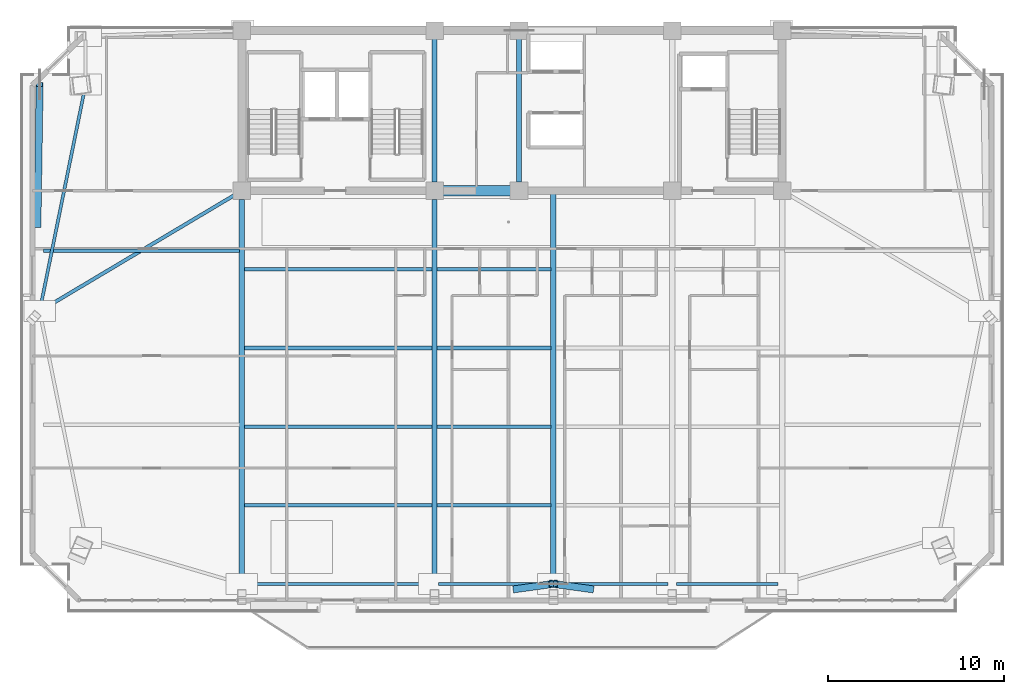
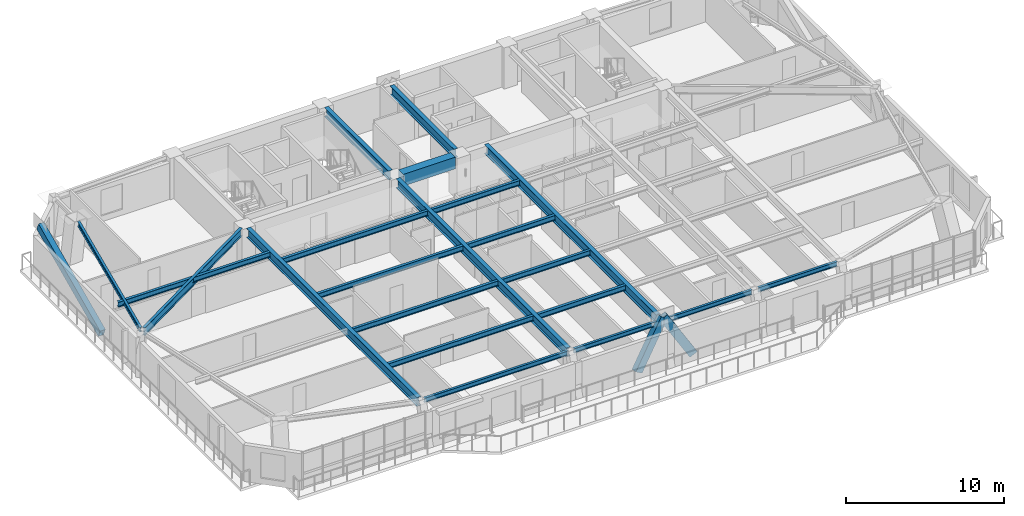
# One storey, part 3 of 18: 21 beams, 3 members.
"""IFC4 building model written with IfcOpenShell, lengths in metres."""

from ifc_helpers import new_model, si_unit, direction, frame, origin, origin_2d, place, context, subcontext, project, spatial, rectangle, hollow_rectangle, i_section, extrude, source, transform, mapped, material, material_profile, profile_set, type_object, element, save


model = new_model("IFC4")

# Units and contexts
model_context = context("Model", 3, precision=1e-05, world=origin(), true_north=direction((0.0, 1.0)))
body_context = subcontext(model_context, "Body", "Model", "MODEL_VIEW")
ifc_project = project(units=[si_unit("LENGTHUNIT", "METRE"), si_unit("AREAUNIT", "SQUARE_METRE"), si_unit("VOLUMEUNIT", "CUBIC_METRE"), si_unit("PLANEANGLEUNIT", "RADIAN"), si_unit("MASSUNIT", "GRAM", prefix="KILO")], contexts=[model_context])

# Site, building, storey
site_placement = place(None, origin())
site = spatial("IfcSite", under=ifc_project, at=site_placement, CompositionType="ELEMENT")
building_placement = place(site_placement, origin())
building = spatial("IfcBuilding", under=site, at=building_placement, Name="Giltprow Tower", CompositionType="ELEMENT")
storey_placement = place(building_placement, frame((0.0, 0.0, 245.10009765625)))
storey = spatial("IfcBuildingStorey", under=building, at=storey_placement, Name="L62", CompositionType="ELEMENT", Elevation=245.10009765625)

# Beams
ifc_material_1 = material(Name="Concrete C50", Category="concrete")
ifc_material_profile_1 = material_profile(ifc_material_1, rectangle(XDim=0.60009765625, YDim=0.89990234375, at=origin_2d()), Name="RC 900x600")
ifc_profile_set_1 = profile_set([ifc_material_profile_1], Name="Concrete C50")
beam_type_1 = type_object("IfcBeamType", Name="BM-CPL-RC900", PredefinedType="LINTEL", material=ifc_profile_set_1)
shared_shape_1 = source(origin(), body_context, "Body", "SweptSolid", [
    extrude(rectangle(XDim=0.60009765625, YDim=0.89990234375, at=origin_2d()), origin(), (0.0, 0.0, 1.0), 3.830078125),
])
beam_1_placement = place(storey_placement, frame((31.284912109375, 37.449951171875, 2.73486328125), z_axis=(1.0, 0.0, 0.0), x_axis=(0.0, 1.0, 0.0)))
element("IfcBeam", 1, at=beam_1_placement, inside=storey, type_object=beam_type_1, Name="L62 Core Coupling Beam CB-1", PredefinedType="LINTEL", context=body_context, shape_type="MappedRepresentation", body=[
    mapped(shared_shape_1, transform((0.0, 0.0, 0.0), x_axis=(1.0, 0.0, 0.0), y_axis=(0.0, 1.0, 0.0), z_axis=(0.0, 0.0, 1.0), scale=1.0)),
])
ifc_material_2 = material(Name="Structural steel Q355B", Category="steel")
ifc_material_profile_2 = material_profile(ifc_material_2, i_section(OverallWidth=0.300048828125, OverallDepth=0.699951171875, WebThickness=0.012939453125, FlangeThickness=0.02392578125, at=origin_2d()), Name="HN 700x300x13x24")
ifc_profile_set_2 = profile_set([ifc_material_profile_2], Name="Structural steel Q355B")
beam_type_2 = type_object("IfcBeamType", Name="BM-GIRD-HN700", PredefinedType="BEAM", material=ifc_profile_set_2)
shared_shape_2 = source(origin(), body_context, "Body", "SweptSolid", [
    extrude(i_section(OverallWidth=0.300048828125, OverallDepth=0.699951171875, WebThickness=0.012939453125, FlangeThickness=0.02392578125, at=origin_2d()), origin(), (0.0, 0.0, 1.0), 8.1298828125),
])
for number, where, z_axis, x_axis, name in (
    (2, (30.800048828125, 37.93505859375, 2.8349609375), (0.0, 1.0, 0.0), (-1.0, 0.0, 0.0), "L62 Core Tie Girder M1"),
    (3, (35.60009765625, 37.93505859375, 2.8349609375), (0.0, 1.0, 0.0), (-1.0, 0.0, 0.0), "L62 Core Tie Girder M2"),
):
    element("IfcBeam", number, at=place(storey_placement, frame(where, z_axis=z_axis, x_axis=x_axis)), inside=storey, type_object=beam_type_2, Name=name, PredefinedType="BEAM", context=body_context, shape_type="MappedRepresentation", body=[
        mapped(shared_shape_2, transform((0.0, 0.0, 0.0), x_axis=(1.0, 0.0, 0.0), y_axis=(0.0, 1.0, 0.0), z_axis=(0.0, 0.0, 1.0), scale=1.0)),
    ])
ifc_material_profile_3 = material_profile(ifc_material_2, i_section(OverallWidth=0.199951171875, OverallDepth=0.39990234375, WebThickness=0.008056640625, FlangeThickness=0.012939453125, at=origin_2d()), Name="HN 400x200x8x13")
ifc_profile_set_3 = profile_set([ifc_material_profile_3], Name="Structural steel Q355B")
beam_type_3 = type_object("IfcBeamType", Name="BM-JOIST-HN400", PredefinedType="JOIST", material=ifc_profile_set_3)
shared_shape_3 = source(origin(), body_context, "Body", "SweptSolid", [
    extrude(i_section(OverallWidth=0.199951171875, OverallDepth=0.39990234375, WebThickness=0.008056640625, FlangeThickness=0.012939453125, at=origin_2d()), origin(), (0.0, 0.0, 1.0), 10.659912109375),
])
for number, where, z_axis, x_axis, name in (
    (4, (19.9951171875, 19.580078125, 2.98486328125), (1.0, 0.0, 0.0), (0.0, 1.0, 0.0), "L62 Composite Floor Joist 1-1"),
    (5, (19.9951171875, 24.048095703125, 2.98486328125), (1.0, 0.0, 0.0), (0.0, 1.0, 0.0), "L62 Composite Floor Joist 2-1"),
    (6, (19.9951171875, 28.514892578125, 2.98486328125), (1.0, 0.0, 0.0), (0.0, 1.0, 0.0), "L62 Composite Floor Joist 3-1"),
    (7, (19.9951171875, 32.98291015625, 2.98486328125), (1.0, 0.0, 0.0), (0.0, 1.0, 0.0), "L62 Composite Floor Joist 4-1"),
):
    element("IfcBeam", number, at=place(storey_placement, frame(where, z_axis=z_axis, x_axis=x_axis)), inside=storey, type_object=beam_type_3, Name=name, PredefinedType="JOIST", context=body_context, shape_type="MappedRepresentation", body=[
        mapped(shared_shape_3, transform((0.0, 0.0, 0.0), x_axis=(1.0, 0.0, 0.0), y_axis=(0.0, 1.0, 0.0), z_axis=(0.0, 0.0, 1.0), scale=1.0)),
    ])
shared_shape_4 = source(origin(), body_context, "Body", "SweptSolid", [
    extrude(i_section(OverallWidth=0.199951171875, OverallDepth=0.39990234375, WebThickness=0.008056640625, FlangeThickness=0.012939453125, at=origin_2d()), origin(), (0.0, 0.0, 1.0), 6.4599609375),
])
for number, where, z_axis, x_axis, name in (
    (8, (30.945068359375, 19.580078125, 2.98486328125), (1.0, 0.0, 0.0), (0.0, 1.0, 0.0), "L62 Composite Floor Joist 1-2"),
    (9, (30.945068359375, 24.048095703125, 2.98486328125), (1.0, 0.0, 0.0), (0.0, 1.0, 0.0), "L62 Composite Floor Joist 2-2"),
    (10, (30.945068359375, 28.514892578125, 2.98486328125), (1.0, 0.0, 0.0), (0.0, 1.0, 0.0), "L62 Composite Floor Joist 3-2"),
    (11, (30.945068359375, 32.98291015625, 2.98486328125), (1.0, 0.0, 0.0), (0.0, 1.0, 0.0), "L62 Composite Floor Joist 4-2"),
):
    element("IfcBeam", number, at=place(storey_placement, frame(where, z_axis=z_axis, x_axis=x_axis)), inside=storey, type_object=beam_type_3, Name=name, PredefinedType="JOIST", context=body_context, shape_type="MappedRepresentation", body=[
        mapped(shared_shape_4, transform((0.0, 0.0, 0.0), x_axis=(1.0, 0.0, 0.0), y_axis=(0.0, 1.0, 0.0), z_axis=(0.0, 0.0, 1.0), scale=1.0)),
    ])
ifc_material_profile_4 = material_profile(ifc_material_2, i_section(OverallWidth=0.175048828125, OverallDepth=0.35009765625, WebThickness=0.007080078125, FlangeThickness=0.010986328125, at=origin_2d()), Name="HN 350x175x7x11")
ifc_profile_set_4 = profile_set([ifc_material_profile_4], Name="Structural steel Q355B")
beam_type_4 = type_object("IfcBeamType", Name="BM-SPAN-HN350", PredefinedType="SPANDREL", material=ifc_profile_set_4)
shared_shape_5 = source(origin(), body_context, "Body", "SweptSolid", [
    extrude(i_section(OverallWidth=0.175048828125, OverallDepth=0.35009765625, WebThickness=0.007080078125, FlangeThickness=0.010986328125, at=origin_2d()), origin(), (0.0, 0.0, 1.0), 10.47998046875),
])
beam_2_placement = place(storey_placement, frame((20.0849609375, 15.113037109375, 3.010009765625), z_axis=(1.0, 0.0, 0.0), x_axis=(0.0, 1.0, 0.0)))
element("IfcBeam", 12, at=beam_2_placement, inside=storey, type_object=beam_type_4, Name="L62 Perimeter Spandrel Beam S1-S2", PredefinedType="SPANDREL", context=body_context, shape_type="MappedRepresentation", body=[
    mapped(shared_shape_5, transform((0.0, 0.0, 0.0), x_axis=(1.0, 0.0, 0.0), y_axis=(0.0, 1.0, 0.0), z_axis=(0.0, 0.0, 1.0), scale=1.0)),
])
shared_shape_6 = source(origin(), body_context, "Body", "SweptSolid", [
    extrude(i_section(OverallWidth=0.175048828125, OverallDepth=0.35009765625, WebThickness=0.007080078125, FlangeThickness=0.010986328125, at=origin_2d()), origin(), (0.0, 0.0, 1.0), 6.280029296875),
])
for number, where, z_axis, x_axis, name in (
    (13, (31.034912109375, 15.113037109375, 3.010009765625), (1.0, 0.0, 0.0), (0.0, 1.0, 0.0), "L62 Perimeter Spandrel Beam S2-S_MID"),
    (14, (37.784912109375, 15.113037109375, 3.010009765625), (1.0, 0.0, 0.0), (0.0, 1.0, 0.0), "L62 Perimeter Spandrel Beam S_MID-S3"),
):
    element("IfcBeam", number, at=place(storey_placement, frame(where, z_axis=z_axis, x_axis=x_axis)), inside=storey, type_object=beam_type_4, Name=name, PredefinedType="SPANDREL", context=body_context, shape_type="MappedRepresentation", body=[
        mapped(shared_shape_6, transform((0.0, 0.0, 0.0), x_axis=(1.0, 0.0, 0.0), y_axis=(0.0, 1.0, 0.0), z_axis=(0.0, 0.0, 1.0), scale=1.0)),
    ])
shared_shape_7 = source(origin(), body_context, "Body", "SweptSolid", [
    extrude(i_section(OverallWidth=0.175048828125, OverallDepth=0.35009765625, WebThickness=0.007080078125, FlangeThickness=0.010986328125, at=origin_2d()), origin(), (0.0, 0.0, 1.0), 5.780029296875),
])
beam_3_placement = place(storey_placement, frame((44.534912109375, 15.113037109375, 3.010009765625), z_axis=(1.0, 0.0, 0.0), x_axis=(0.0, 1.0, 0.0)))
element("IfcBeam", 15, at=beam_3_placement, inside=storey, type_object=beam_type_4, Name="L62 Perimeter Spandrel Beam S3-S4", PredefinedType="SPANDREL", context=body_context, shape_type="MappedRepresentation", body=[
    mapped(shared_shape_7, transform((0.0, 0.0, 0.0), x_axis=(1.0, 0.0, 0.0), y_axis=(0.0, 1.0, 0.0), z_axis=(0.0, 0.0, 1.0), scale=1.0)),
])
shared_shape_8 = source(origin(), body_context, "Body", "SweptSolid", [
    extrude(i_section(OverallWidth=0.175048828125, OverallDepth=0.35009765625, WebThickness=0.007080078125, FlangeThickness=0.010986328125, at=origin_2d()), origin(), (0.0, 0.0, 1.0), 12.42138671875),
])
beam_4_placement = place(storey_placement, frame((10.882080078125, 43.010009765625, 3.010009765625), z_axis=(-0.198946371851, -0.980010378071, 0.0), x_axis=(0.980010378071, -0.198946371851, 0.0)))
element("IfcBeam", 16, at=beam_4_placement, inside=storey, type_object=beam_type_4, Name="L62 Perimeter Spandrel Beam MC_NW-W_MID", PredefinedType="SPANDREL", context=body_context, shape_type="MappedRepresentation", body=[
    mapped(shared_shape_8, transform((0.0, 0.0, 0.0), x_axis=(1.0, 0.0, 0.0), y_axis=(0.0, 1.0, 0.0), z_axis=(0.0, 0.0, 1.0), scale=1.0)),
])
shared_shape_9 = source(origin(), body_context, "Body", "SweptSolid", [
    extrude(i_section(OverallWidth=0.300048828125, OverallDepth=0.699951171875, WebThickness=0.012939453125, FlangeThickness=0.02392578125, at=origin_2d()), origin(), (0.0, 0.0, 1.0), 21.6171875),
])
for number, where, z_axis, x_axis, name in (
    (17, (19.85009765625, 15.347900390625, 2.8349609375), (0.0, 1.0, 0.0), (-1.0, 0.0, 0.0), "L62 Primary Lease Girder S1"),
    (18, (30.800048828125, 15.347900390625, 2.8349609375), (0.0, 1.0, 0.0), (-1.0, 0.0, 0.0), "L62 Primary Lease Girder S2"),
):
    element("IfcBeam", number, at=place(storey_placement, frame(where, z_axis=z_axis, x_axis=x_axis)), inside=storey, type_object=beam_type_2, Name=name, PredefinedType="BEAM", context=body_context, shape_type="MappedRepresentation", body=[
        mapped(shared_shape_9, transform((0.0, 0.0, 0.0), x_axis=(1.0, 0.0, 0.0), y_axis=(0.0, 1.0, 0.0), z_axis=(0.0, 0.0, 1.0), scale=1.0)),
    ])
shared_shape_10 = source(origin(), body_context, "Body", "SweptSolid", [
    extrude(i_section(OverallWidth=0.300048828125, OverallDepth=0.699951171875, WebThickness=0.012939453125, FlangeThickness=0.02392578125, at=origin_2d()), origin(), (0.0, 0.0, 1.0), 22.3369140625),
])
beam_5_placement = place(storey_placement, frame((37.550048828125, 15.113037109375, 2.8349609375), z_axis=(0.0, 1.0, 0.0), x_axis=(-1.0, 0.0, 0.0)))
element("IfcBeam", 19, at=beam_5_placement, inside=storey, type_object=beam_type_2, Name="L62 Central Lease Girder SMID", PredefinedType="BEAM", context=body_context, shape_type="MappedRepresentation", body=[
    mapped(shared_shape_10, transform((0.0, 0.0, 0.0), x_axis=(1.0, 0.0, 0.0), y_axis=(0.0, 1.0, 0.0), z_axis=(0.0, 0.0, 1.0), scale=1.0)),
])
ifc_material_profile_5 = material_profile(ifc_material_2, i_section(OverallWidth=0.199951171875, OverallDepth=0.60009765625, WebThickness=0.010986328125, FlangeThickness=0.01708984375, at=origin_2d()), Name="HN 600x200x11x17")
ifc_profile_set_5 = profile_set([ifc_material_profile_5], Name="Structural steel Q355B")
beam_type_5 = type_object("IfcBeamType", Name="BM-GIRD-HN600", PredefinedType="BEAM", material=ifc_profile_set_5)
shared_shape_11 = source(origin(), body_context, "Body", "SweptSolid", [
    extrude(i_section(OverallWidth=0.199951171875, OverallDepth=0.60009765625, WebThickness=0.010986328125, FlangeThickness=0.01708984375, at=origin_2d()), origin(), (0.0, 0.0, 1.0), 12.64990234375),
])
beam_6_placement = place(storey_placement, frame((8.56591796875, 30.72705078125, 2.885009765625), z_axis=(0.859074279173, 0.511850938128, 0.0), x_axis=(-0.511850938128, 0.859074279173, 0.0)))
element("IfcBeam", 20, at=beam_6_placement, inside=storey, type_object=beam_type_5, Name="L62 West Wing Primary Girder", PredefinedType="BEAM", context=body_context, shape_type="MappedRepresentation", body=[
    mapped(shared_shape_11, transform((0.0, 0.0, 0.0), x_axis=(1.0, 0.0, 0.0), y_axis=(0.0, 1.0, 0.0), z_axis=(0.0, 0.0, 1.0), scale=1.0)),
])
shared_shape_12 = source(origin(), body_context, "Body", "SweptSolid", [
    extrude(i_section(OverallWidth=0.199951171875, OverallDepth=0.39990234375, WebThickness=0.008056640625, FlangeThickness=0.012939453125, at=origin_2d()), origin(), (0.0, 0.0, 1.0), 11.12109375),
])
beam_7_placement = place(storey_placement, frame((8.583984375, 34.029052734375, 2.98486328125), z_axis=(1.0, 0.0, 0.0), x_axis=(0.0, 1.0, 0.0)))
element("IfcBeam", 21, at=beam_7_placement, inside=storey, type_object=beam_type_3, Name="L62 West Wing Floor Joist 2", PredefinedType="JOIST", context=body_context, shape_type="MappedRepresentation", body=[
    mapped(shared_shape_12, transform((0.0, 0.0, 0.0), x_axis=(1.0, 0.0, 0.0), y_axis=(0.0, 1.0, 0.0), z_axis=(0.0, 0.0, 1.0), scale=1.0)),
])

# Members
ifc_material_3 = material(Name="Structural steel Q420GJC", Category="steel")
ifc_material_profile_6 = material_profile(ifc_material_3, hollow_rectangle(XDim=0.39990234375, YDim=0.60009765625, WallThickness=0.028076171875, at=origin_2d()), Name="RHS 600x400x28")
ifc_profile_set_6 = profile_set([ifc_material_profile_6], Name="Structural steel Q420GJC")
member_type = type_object("IfcMemberType", Name="MBR-MEGA-RHS600", PredefinedType="BRACE", material=ifc_profile_set_6)
shared_shape_13 = source(origin(), body_context, "Body", "SweptSolid", [
    extrude(hollow_rectangle(XDim=0.39990234375, YDim=0.60009765625, WallThickness=0.028076171875, at=origin_2d()), origin(), (0.0, 0.0, 1.0), 8.708251953125),
])
member_placement = place(storey_placement, frame((8.239013671875, 35.468994140625, 0.0), z_axis=(0.014354259711, 0.920522975273, 0.390424649865), x_axis=(-0.999878442112, 0.015591696484, 0.0)))
element("IfcMember", 22, at=member_placement, inside=storey, type_object=member_type, Name="L62 Chevron Mega-Brace W-D", PredefinedType="BRACE", context=body_context, shape_type="MappedRepresentation", body=[
    mapped(shared_shape_13, transform((0.0, 0.0, 0.0), x_axis=(1.0, 0.0, 0.0), y_axis=(0.0, 1.0, 0.0), z_axis=(0.0, 0.0, 1.0), scale=1.0)),
])
shared_shape_14 = source(origin(), body_context, "Body", "SweptSolid", [
    extrude(hollow_rectangle(XDim=0.39990234375, YDim=0.60009765625, WallThickness=0.028076171875, at=origin_2d()), origin(), (0.0, 0.0, 1.0), 3.97021484375),
])
for number, where, z_axis, x_axis, name in (
    (23, (35.51904296875, 14.8330078125, 0.0), (0.511558563866, 0.070532236177, 0.856348666955), (-0.136585012765, 0.990628353263, 0.0), "L62 Chevron Mega-Brace S-L"),
    (24, (39.5810546875, 14.8330078125, 0.0), (-0.511558563866, 0.070532236177, 0.856348666955), (-0.136585012765, -0.990628353263, 0.0), "L62 Chevron Mega-Brace S-R"),
):
    element("IfcMember", number, at=place(storey_placement, frame(where, z_axis=z_axis, x_axis=x_axis)), inside=storey, type_object=member_type, Name=name, PredefinedType="BRACE", context=body_context, shape_type="MappedRepresentation", body=[
        mapped(shared_shape_14, transform((0.0, 0.0, 0.0), x_axis=(1.0, 0.0, 0.0), y_axis=(0.0, 1.0, 0.0), z_axis=(0.0, 0.0, 1.0), scale=1.0)),
    ])

save(model, "model.ifc")
